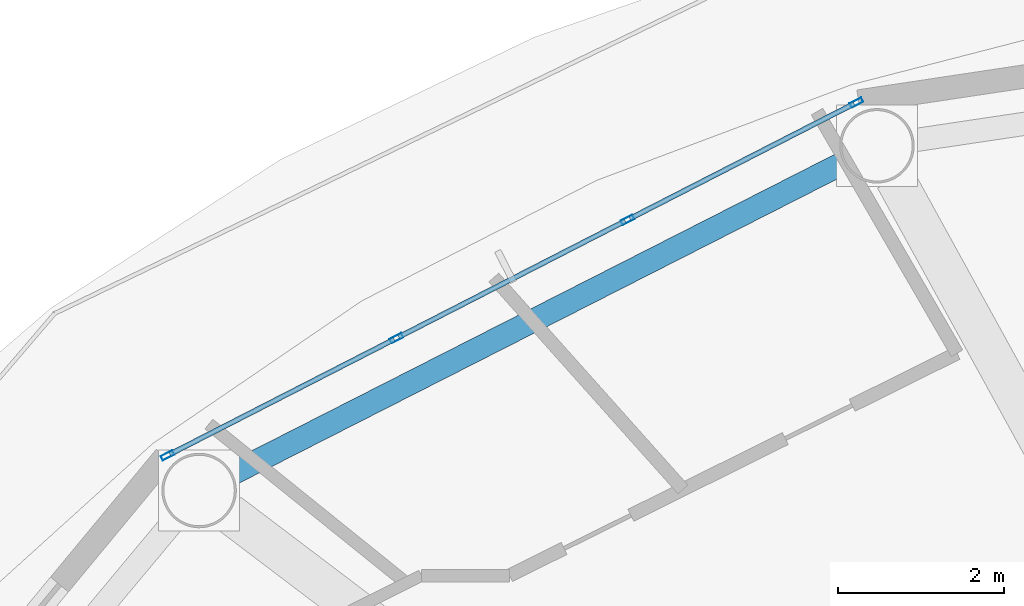
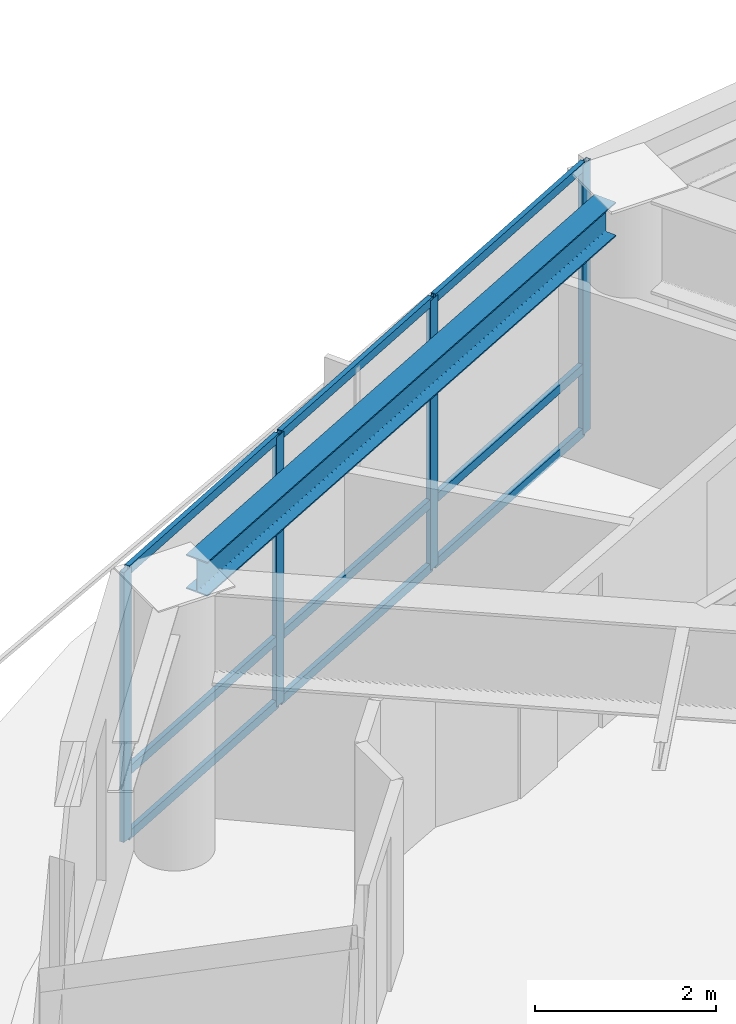
# One storey, part 12 of 24: 13 members, 1 beam, 1 element without a shape of its own.
"""IFC4 building model written with IfcOpenShell, lengths in metres."""

from ifc_helpers import new_model, si_unit, direction, frame, origin, origin_2d, place, context, subcontext, project, spatial, hollow_rectangle, i_section, extrude, material, layer, layer_set, material_profile, profile_set, type_object, element, aggregate, save


model = new_model("IFC4")

# Units and contexts
model_context = context("Model", 3, precision=1e-05, world=origin(), true_north=direction((0.0, 1.0)))
body_context = subcontext(model_context, "Body", "Model", "MODEL_VIEW")
ifc_project = project(units=[si_unit("LENGTHUNIT", "METRE"), si_unit("AREAUNIT", "SQUARE_METRE"), si_unit("VOLUMEUNIT", "CUBIC_METRE"), si_unit("PLANEANGLEUNIT", "RADIAN"), si_unit("MASSUNIT", "GRAM", prefix="KILO")], contexts=[model_context])

# Site, building, storey
site_placement = place(None, origin())
site = spatial("IfcSite", under=ifc_project, at=site_placement, CompositionType="ELEMENT")
building_placement = place(site_placement, origin())
building = spatial("IfcBuilding", under=site, at=building_placement, Name="Sarneth Arch Tower", CompositionType="ELEMENT")
storey_placement = place(building_placement, frame((0.0, 0.0, 312.60009765625)))
storey = spatial("IfcBuildingStorey", under=building, at=storey_placement, Name="L81", CompositionType="ELEMENT", Elevation=312.60009765625)

# Beam
ifc_material_1 = material(Name="Steel S355", Category="steel")
ifc_material_profile_1 = material_profile(ifc_material_1, i_section(OverallWidth=0.280029296875, OverallDepth=0.462890625, WebThickness=0.0107421875, FlangeThickness=0.017333984375, FilletRadius=0.01806640625, at=origin_2d()), Name="W460x113")
ifc_profile_set_1 = profile_set([ifc_material_profile_1], Name="Steel S355")
beam_type = type_object("IfcBeamType", Name="BM-RAD-460A", PredefinedType="BEAM", material=ifc_profile_set_1)
beam_placement = place(storey_placement, frame((37.80810546875, 59.534423828125, 3.408447265625), z_axis=(-0.891376248079, -0.453264144138, 0.0), x_axis=(0.453264144138, -0.891376248079, 0.0)))
element("IfcBeam", 1, at=beam_placement, inside=storey, type_object=beam_type, Name="L81 Perimeter spandrel beam 06", PredefinedType="BEAM", context=body_context, shape_type="SweptSolid", body=[
    extrude(i_section(OverallWidth=0.280029296875, OverallDepth=0.462890625, WebThickness=0.0107421875, FlangeThickness=0.017333984375, FilletRadius=0.01806640625, at=origin_2d()), origin(), (0.0, 0.0, 1.0), 8.281982421875),
])

# Curtain wall, members
ifc_material_2 = material(Name="Anodised aluminium Type AA25 and solar-control low-e laminated IGU", Category="aluminium")
ifc_layer = layer(ifc_material_2, 0.179931640625)
ifc_layer_set = layer_set([ifc_layer], Name="Anodised aluminium Type AA25 and solar-control low-e laminated IGU")
curtain_wall_type = type_object("IfcCurtainWallType", Name="CW-RES-HIGH", PredefinedType="NOTDEFINED", material=ifc_layer_set)
curtain_wall_placement = place(storey_placement, origin())
curtain_wall = element("IfcCurtainWall", 2, at=curtain_wall_placement, inside=storey, type_object=curtain_wall_type, Name="L81 Unitised curtain wall facet 06", PredefinedType="NOTDEFINED")
ifc_material_3 = material(Name="Anodised Aluminium 6063-T6", Category="aluminium")
ifc_material_profile_2 = material_profile(ifc_material_3, hollow_rectangle(XDim=0.06005859375, YDim=0.159912109375, WallThickness=0.00390625, at=origin_2d()), Name="AL-MULL-160x60x4")
ifc_profile_set_2 = profile_set([ifc_material_profile_2], Name="Anodised Aluminium 6063-T6")
member_type_1 = type_object("IfcMemberType", Name="CW-MULLION", PredefinedType="MULLION", material=ifc_profile_set_2)
member_1_placement = place(storey_placement, frame((37.960693359375, 60.2607421875, 0.0), z_axis=(0.0, 0.0, 1.0), x_axis=(0.455941901753, -0.890009540525, 0.0)))
member_1 = element("IfcMember", 3, at=member_1_placement, type_object=member_type_1, Name="CW-SYS-6 mullion 1", PredefinedType="MULLION", context=body_context, shape_type="SweptSolid", body=[
    extrude(hollow_rectangle(XDim=0.06005859375, YDim=0.159912109375, WallThickness=0.00390625, at=origin_2d()), origin(), (0.0, 0.0, 1.0), 3.639892578125),
])
member_2_placement = place(storey_placement, frame((35.197509765625, 58.844970703125, 0.0), z_axis=(0.0, 0.0, 1.0), x_axis=(0.455941901753, -0.890009540525, 0.0)))
member_2 = element("IfcMember", 4, at=member_2_placement, type_object=member_type_1, Name="CW-SYS-6 mullion 2", PredefinedType="MULLION", context=body_context, shape_type="SweptSolid", body=[
    extrude(hollow_rectangle(XDim=0.06005859375, YDim=0.159912109375, WallThickness=0.00390625, at=origin_2d()), origin(), (0.0, 0.0, 1.0), 3.639892578125),
])
member_3_placement = place(storey_placement, frame((32.407470703125, 57.415771484375, 0.0), z_axis=(0.0, 0.0, 1.0), x_axis=(0.455941901753, -0.890009540525, 0.0)))
member_3 = element("IfcMember", 5, at=member_3_placement, type_object=member_type_1, Name="CW-SYS-6 mullion 3", PredefinedType="MULLION", context=body_context, shape_type="SweptSolid", body=[
    extrude(hollow_rectangle(XDim=0.06005859375, YDim=0.159912109375, WallThickness=0.00390625, at=origin_2d()), origin(), (0.0, 0.0, 1.0), 3.639892578125),
])
member_4_placement = place(storey_placement, frame((29.644287109375, 56.000244140625, 0.0), z_axis=(0.0, 0.0, 1.0), x_axis=(0.455941901753, -0.890009540525, 0.0)))
member_4 = element("IfcMember", 6, at=member_4_placement, type_object=member_type_1, Name="CW-SYS-6 mullion 4", PredefinedType="MULLION", context=body_context, shape_type="SweptSolid", body=[
    extrude(hollow_rectangle(XDim=0.06005859375, YDim=0.159912109375, WallThickness=0.00390625, at=origin_2d()), origin(), (0.0, 0.0, 1.0), 3.639892578125),
])
ifc_material_4 = material(Name="Anodised Aluminium 6063-T6", Category="aluminium")
ifc_material_profile_3 = material_profile(ifc_material_4, hollow_rectangle(XDim=0.06005859375, YDim=0.1201171875, WallThickness=0.00390625, at=origin_2d()), Name="AL-TRAN-120x60x4")
ifc_profile_set_3 = profile_set([ifc_material_profile_3], Name="Anodised Aluminium 6063-T6")
member_type_2 = type_object("IfcMemberType", Name="CW-TRANSOM", PredefinedType="USERDEFINED", material=ifc_profile_set_3)
member_5_placement = place(storey_placement, frame((37.933837890625, 60.2470703125, 0.02978515625), z_axis=(-0.889973523166, -0.456012201662, 0.0), x_axis=(0.456012201662, -0.889973523166, 0.0)))
member_5 = element("IfcMember", 7, at=member_5_placement, type_object=member_type_2, Name="CW-SYS-6 transom 1.1", ObjectType="TRANSOM", PredefinedType="USERDEFINED", context=body_context, shape_type="SweptSolid", body=[
    extrude(hollow_rectangle(XDim=0.06005859375, YDim=0.1201171875, WallThickness=0.00390625, at=origin_2d()), origin(), (0.0, 0.0, 1.0), 3.044677734375),
])
member_6_placement = place(storey_placement, frame((37.933837890625, 60.2470703125, 0.89990234375), z_axis=(-0.889973523166, -0.456012201662, 0.0), x_axis=(0.456012201662, -0.889973523166, 0.0)))
member_6 = element("IfcMember", 8, at=member_6_placement, type_object=member_type_2, Name="CW-SYS-6 transom 1.2", ObjectType="TRANSOM", PredefinedType="USERDEFINED", context=body_context, shape_type="SweptSolid", body=[
    extrude(hollow_rectangle(XDim=0.06005859375, YDim=0.1201171875, WallThickness=0.00390625, at=origin_2d()), origin(), (0.0, 0.0, 1.0), 3.044677734375),
])
member_7_placement = place(storey_placement, frame((37.933837890625, 60.2470703125, 3.60986328125), z_axis=(-0.889973523166, -0.456012201662, 0.0), x_axis=(0.456012201662, -0.889973523166, 0.0)))
member_7 = element("IfcMember", 9, at=member_7_placement, type_object=member_type_2, Name="CW-SYS-6 transom 1.3", ObjectType="TRANSOM", PredefinedType="USERDEFINED", context=body_context, shape_type="SweptSolid", body=[
    extrude(hollow_rectangle(XDim=0.06005859375, YDim=0.1201171875, WallThickness=0.00390625, at=origin_2d()), origin(), (0.0, 0.0, 1.0), 3.044677734375),
])
member_8_placement = place(storey_placement, frame((35.170654296875, 58.831298828125, 0.02978515625), z_axis=(-0.890017432405, -0.455926496286, 0.0), x_axis=(0.455926496286, -0.890017432405, 0.0)))
member_8 = element("IfcMember", 10, at=member_8_placement, type_object=member_type_2, Name="CW-SYS-6 transom 2.1", ObjectType="TRANSOM", PredefinedType="USERDEFINED", context=body_context, shape_type="SweptSolid", body=[
    extrude(hollow_rectangle(XDim=0.06005859375, YDim=0.1201171875, WallThickness=0.00390625, at=origin_2d()), origin(), (0.0, 0.0, 1.0), 3.07470703125),
])
member_9_placement = place(storey_placement, frame((35.170654296875, 58.831298828125, 0.89990234375), z_axis=(-0.890017432405, -0.455926496286, 0.0), x_axis=(0.455926496286, -0.890017432405, 0.0)))
member_9 = element("IfcMember", 11, at=member_9_placement, type_object=member_type_2, Name="CW-SYS-6 transom 2.2", ObjectType="TRANSOM", PredefinedType="USERDEFINED", context=body_context, shape_type="SweptSolid", body=[
    extrude(hollow_rectangle(XDim=0.06005859375, YDim=0.1201171875, WallThickness=0.00390625, at=origin_2d()), origin(), (0.0, 0.0, 1.0), 3.07470703125),
])
member_10_placement = place(storey_placement, frame((35.170654296875, 58.831298828125, 3.60986328125), z_axis=(-0.890017432405, -0.455926496286, 0.0), x_axis=(0.455926496286, -0.890017432405, 0.0)))
member_10 = element("IfcMember", 12, at=member_10_placement, type_object=member_type_2, Name="CW-SYS-6 transom 2.3", ObjectType="TRANSOM", PredefinedType="USERDEFINED", context=body_context, shape_type="SweptSolid", body=[
    extrude(hollow_rectangle(XDim=0.06005859375, YDim=0.1201171875, WallThickness=0.00390625, at=origin_2d()), origin(), (0.0, 0.0, 1.0), 3.07470703125),
])
member_11_placement = place(storey_placement, frame((32.380859375, 57.402099609375, 0.02978515625), z_axis=(-0.890022732705, -0.455916149384, 0.0), x_axis=(0.455916149384, -0.890022732705, 0.0)))
member_11 = element("IfcMember", 13, at=member_11_placement, type_object=member_type_2, Name="CW-SYS-6 transom 3.1", ObjectType="TRANSOM", PredefinedType="USERDEFINED", context=body_context, shape_type="SweptSolid", body=[
    extrude(hollow_rectangle(XDim=0.06005859375, YDim=0.1201171875, WallThickness=0.00390625, at=origin_2d()), origin(), (0.0, 0.0, 1.0), 3.044921875),
])
member_12_placement = place(storey_placement, frame((32.380859375, 57.402099609375, 0.89990234375), z_axis=(-0.890022732705, -0.455916149384, 0.0), x_axis=(0.455916149384, -0.890022732705, 0.0)))
member_12 = element("IfcMember", 14, at=member_12_placement, type_object=member_type_2, Name="CW-SYS-6 transom 3.2", ObjectType="TRANSOM", PredefinedType="USERDEFINED", context=body_context, shape_type="SweptSolid", body=[
    extrude(hollow_rectangle(XDim=0.06005859375, YDim=0.1201171875, WallThickness=0.00390625, at=origin_2d()), origin(), (0.0, 0.0, 1.0), 3.044921875),
])
member_13_placement = place(storey_placement, frame((32.380859375, 57.402099609375, 3.60986328125), z_axis=(-0.890022732705, -0.455916149384, 0.0), x_axis=(0.455916149384, -0.890022732705, 0.0)))
member_13 = element("IfcMember", 15, at=member_13_placement, type_object=member_type_2, Name="CW-SYS-6 transom 3.3", ObjectType="TRANSOM", PredefinedType="USERDEFINED", context=body_context, shape_type="SweptSolid", body=[
    extrude(hollow_rectangle(XDim=0.06005859375, YDim=0.1201171875, WallThickness=0.00390625, at=origin_2d()), origin(), (0.0, 0.0, 1.0), 3.044921875),
])
aggregate(curtain_wall, [member_1, member_2, member_3, member_4, member_5, member_6, member_7, member_8, member_9, member_10, member_11, member_12, member_13])

save(model, "model.ifc")
